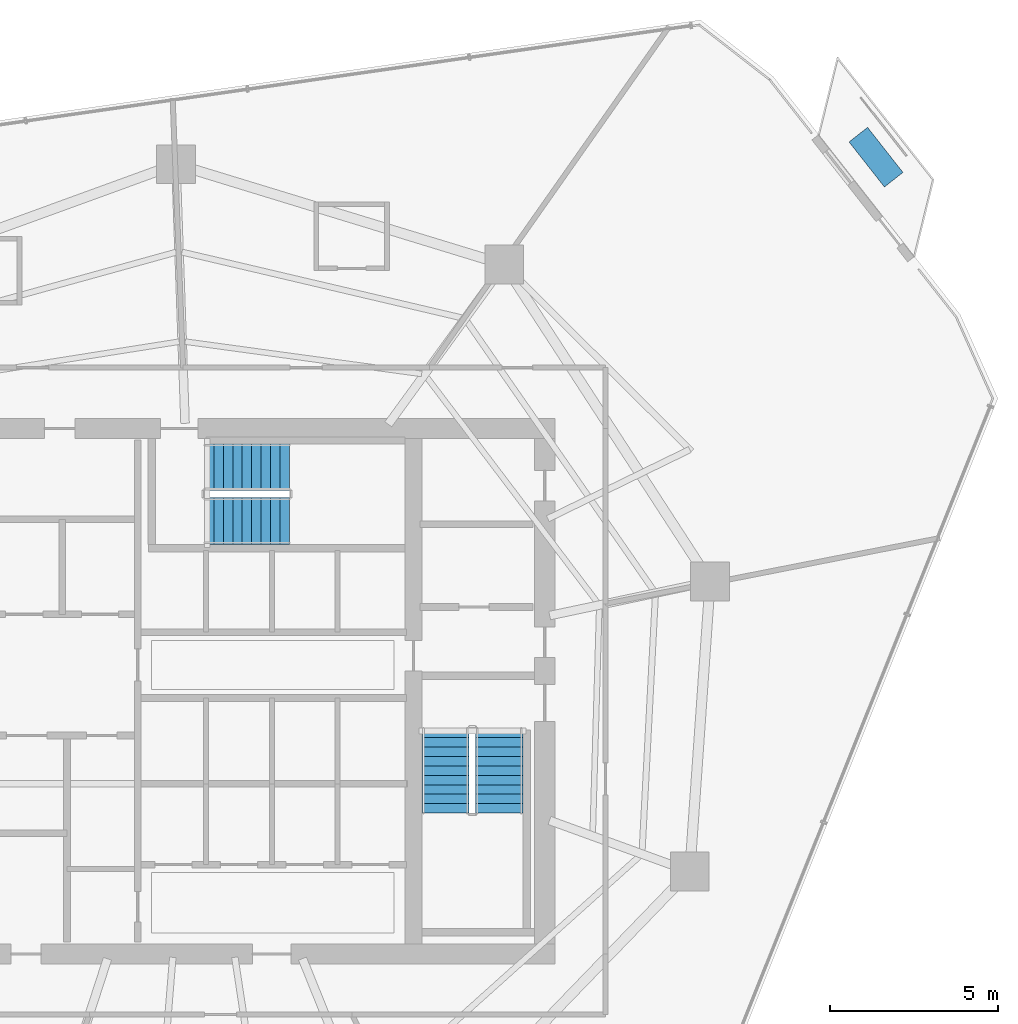
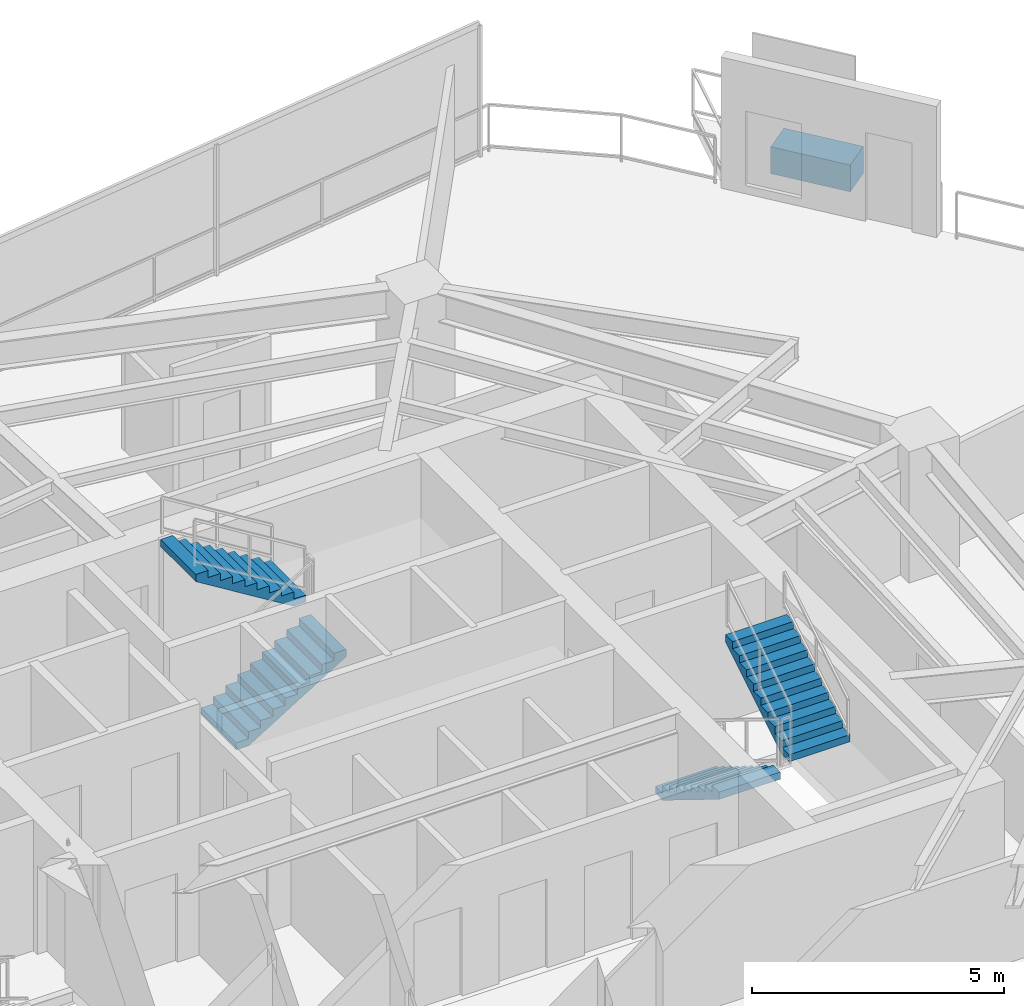
# One storey, part 26 of 29: 4 stair flights, 1 discrete accessory, 2 elements without a shape of their own.
"""IFC4 building model written with IfcOpenShell, lengths in metres."""

from ifc_helpers import new_model, si_unit, direction, frame, origin, origin_2d, place, context, subcontext, project, spatial, polyline, rectangle, outline, extrude, material, type_object, element, aggregate, save


model = new_model("IFC4")

# Units and contexts
model_context = context("Model", 3, precision=1e-05, world=origin(), true_north=direction((0.0, 1.0)))
body_context = subcontext(model_context, "Body", "Model", "MODEL_VIEW")
ifc_project = project(units=[si_unit("LENGTHUNIT", "METRE"), si_unit("AREAUNIT", "SQUARE_METRE"), si_unit("VOLUMEUNIT", "CUBIC_METRE"), si_unit("PLANEANGLEUNIT", "RADIAN"), si_unit("MASSUNIT", "GRAM", prefix="KILO")], contexts=[model_context])

# Site, building, storey
site_placement = place(None, origin())
site = spatial("IfcSite", under=ifc_project, at=site_placement, CompositionType="ELEMENT")
building_placement = place(site_placement, origin())
building = spatial("IfcBuilding", under=site, at=building_placement, Name="Qarnah Convention Tower", CompositionType="ELEMENT")
storey_placement = place(building_placement, frame((0.0, 0.0, 97.050048828125)))
storey = spatial("IfcBuildingStorey", under=building, at=storey_placement, Name="L25", CompositionType="ELEMENT", Elevation=97.050048828125)

# Stair, stair flights
ifc_material_1 = material(Name="Concrete C50/60", Category="concrete")
stair_type = type_object("IfcStairType", Name="STR-HTL", PredefinedType="HALF_TURN_STAIR", material=ifc_material_1)
stair_1_placement = place(storey_placement, origin())
stair_1 = element("IfcStair", 1, at=stair_1_placement, inside=storey, type_object=stair_type, Name="L25 Core exit stair ST-2", PredefinedType="HALF_TURN_STAIR")
stair_flight_type = type_object("IfcStairFlightType", Name="FLT-HTL", PredefinedType="STRAIGHT", material=ifc_material_1)
stair_flight_1_placement = place(storey_placement, frame((44.64990234375, 25.300048828125, 0.0), z_axis=(0.0, 0.0, 1.0), x_axis=(0.0, -1.0, 0.0)))
stair_flight_1 = element("IfcStairFlight", 2, at=stair_flight_1_placement, type_object=stair_flight_type, Name="ST-2 flight 1", NumberOfRisers=10, NumberOfTreads=9, PredefinedType="STRAIGHT", RiserHeight=0.1725, TreadLength=0.28, context=body_context, shape_type="SweptSolid", body=[
    extrude(outline(polyline([(0.0, 0.0), (0.0, 0.172607421875), (0.280029296875, 0.172607421875), (0.280029296875, 0.344970703125), (0.56005859375, 0.344970703125), (0.56005859375, 0.517578125), (0.840087890625, 0.517578125), (0.840087890625, 0.68994140625), (1.1201171875, 0.68994140625), (1.1201171875, 0.862548828125), (1.39990234375, 0.862548828125), (1.39990234375, 1.034912109375), (1.679931640625, 1.034912109375), (1.679931640625, 1.20751953125), (1.9599609375, 1.20751953125), (1.9599609375, 1.3798828125), (2.239990234375, 1.3798828125), (2.239990234375, 1.552490234375), (2.52001953125, 1.552490234375), (2.52001953125, 1.72509765625), (2.52001953125, 1.37646484375), (0.285888671875, 0.0), (0.0, 0.0)])), frame((0.0, 0.699951171875, 0.0), z_axis=(0.0, -1.0, 0.0), x_axis=(1.0, 0.0, 0.0)), (0.0, 0.0, 1.0), 1.39990234375),
])
stair_flight_2_placement = place(storey_placement, frame((46.25, 22.780029296875, 1.724853515625), z_axis=(0.0, 0.0, 1.0), x_axis=(0.0, 1.0, 0.0)))
stair_flight_2 = element("IfcStairFlight", 3, at=stair_flight_2_placement, type_object=stair_flight_type, Name="ST-2 flight 2", NumberOfRisers=10, NumberOfTreads=9, PredefinedType="STRAIGHT", RiserHeight=0.1725, TreadLength=0.28, context=body_context, shape_type="SweptSolid", body=[
    extrude(outline(polyline([(0.0, 0.0), (0.0, 0.172607421875), (0.280029296875, 0.172607421875), (0.280029296875, 0.344970703125), (0.56005859375, 0.344970703125), (0.56005859375, 0.517578125), (0.840087890625, 0.517578125), (0.840087890625, 0.68994140625), (1.1201171875, 0.68994140625), (1.1201171875, 0.862548828125), (1.39990234375, 0.862548828125), (1.39990234375, 1.034912109375), (1.679931640625, 1.034912109375), (1.679931640625, 1.20751953125), (1.9599609375, 1.20751953125), (1.9599609375, 1.3798828125), (2.239990234375, 1.3798828125), (2.239990234375, 1.552490234375), (2.52001953125, 1.552490234375), (2.52001953125, 1.72509765625), (2.52001953125, 1.37646484375), (0.285888671875, 0.0), (0.0, 0.0)])), frame((0.0, 0.699951171875, 0.0), z_axis=(0.0, -1.0, 0.0), x_axis=(1.0, 0.0, 0.0)), (0.0, 0.0, 1.0), 1.39990234375),
])
aggregate(stair_1, [stair_flight_1, stair_flight_2])

stair_2_placement = place(storey_placement, origin())
stair_2 = element("IfcStair", 4, at=stair_2_placement, inside=storey, type_object=stair_type, Name="L25 Core exit stair ST-3", PredefinedType="HALF_TURN_STAIR")
stair_flight_3_placement = place(storey_placement, frame((37.5, 31.449951171875, 0.0), z_axis=(0.0, 0.0, 1.0), x_axis=(1.0, 0.0, 0.0)))
stair_flight_3 = element("IfcStairFlight", 5, at=stair_flight_3_placement, type_object=stair_flight_type, Name="ST-3 flight 1", NumberOfRisers=10, NumberOfTreads=9, PredefinedType="STRAIGHT", RiserHeight=0.1725, TreadLength=0.28, context=body_context, shape_type="SweptSolid", body=[
    extrude(outline(polyline([(0.0, 0.0), (0.0, 0.172607421875), (0.280029296875, 0.172607421875), (0.280029296875, 0.344970703125), (0.56005859375, 0.344970703125), (0.56005859375, 0.517578125), (0.840087890625, 0.517578125), (0.840087890625, 0.68994140625), (1.1201171875, 0.68994140625), (1.1201171875, 0.862548828125), (1.39990234375, 0.862548828125), (1.39990234375, 1.034912109375), (1.679931640625, 1.034912109375), (1.679931640625, 1.20751953125), (1.9599609375, 1.20751953125), (1.9599609375, 1.3798828125), (2.239990234375, 1.3798828125), (2.239990234375, 1.552490234375), (2.52001953125, 1.552490234375), (2.52001953125, 1.72509765625), (2.52001953125, 1.37646484375), (0.285888671875, 0.0), (0.0, 0.0)])), frame((0.0, 0.699951171875, 0.0), z_axis=(0.0, -1.0, 0.0), x_axis=(1.0, 0.0, 0.0)), (0.0, 0.0, 1.0), 1.39990234375),
])
stair_flight_4_placement = place(storey_placement, frame((40.02001953125, 33.050048828125, 1.724853515625), z_axis=(0.0, 0.0, 1.0), x_axis=(-1.0, 0.0, 0.0)))
stair_flight_4 = element("IfcStairFlight", 6, at=stair_flight_4_placement, type_object=stair_flight_type, Name="ST-3 flight 2", NumberOfRisers=10, NumberOfTreads=9, PredefinedType="STRAIGHT", RiserHeight=0.1725, TreadLength=0.28, context=body_context, shape_type="SweptSolid", body=[
    extrude(outline(polyline([(0.0, 0.0), (0.0, 0.172607421875), (0.280029296875, 0.172607421875), (0.280029296875, 0.344970703125), (0.56005859375, 0.344970703125), (0.56005859375, 0.517578125), (0.840087890625, 0.517578125), (0.840087890625, 0.68994140625), (1.1201171875, 0.68994140625), (1.1201171875, 0.862548828125), (1.39990234375, 0.862548828125), (1.39990234375, 1.034912109375), (1.679931640625, 1.034912109375), (1.679931640625, 1.20751953125), (1.9599609375, 1.20751953125), (1.9599609375, 1.3798828125), (2.239990234375, 1.3798828125), (2.239990234375, 1.552490234375), (2.52001953125, 1.552490234375), (2.52001953125, 1.72509765625), (2.52001953125, 1.37646484375), (0.285888671875, 0.0), (0.0, 0.0)])), frame((0.0, 0.699951171875, 0.0), z_axis=(0.0, -1.0, 0.0), x_axis=(1.0, 0.0, 0.0)), (0.0, 0.0, 1.0), 1.39990234375),
])
aggregate(stair_2, [stair_flight_3, stair_flight_4])

# Discrete accessory
ifc_material_2 = material(Name="Precast concrete C45/55", Category="concrete")
discrete_accessory_type = type_object("IfcDiscreteAccessoryType", Name="ACC-PLANTER-900", PredefinedType="USERDEFINED", material=ifc_material_2)
discrete_accessory_placement = place(storey_placement, frame((57.431884765625, 42.2490234375, 0.0), z_axis=(0.0, 0.0, 1.0), x_axis=(-0.61785961309, 0.786288432137, 0.0)))
element("IfcDiscreteAccessory", 7, at=discrete_accessory_placement, inside=storey, type_object=discrete_accessory_type, Name="L25 irrigated desert balcony PLANTER BAL-L25-C1", ObjectType="PLANTER", PredefinedType="USERDEFINED", context=body_context, shape_type="SweptSolid", body=[
    extrude(rectangle(XDim=1.699951171875, YDim=0.699951171875, at=origin_2d()), origin(), (0.0, 0.0, 1.0), 0.64990234375),
])

save(model, "model.ifc")
